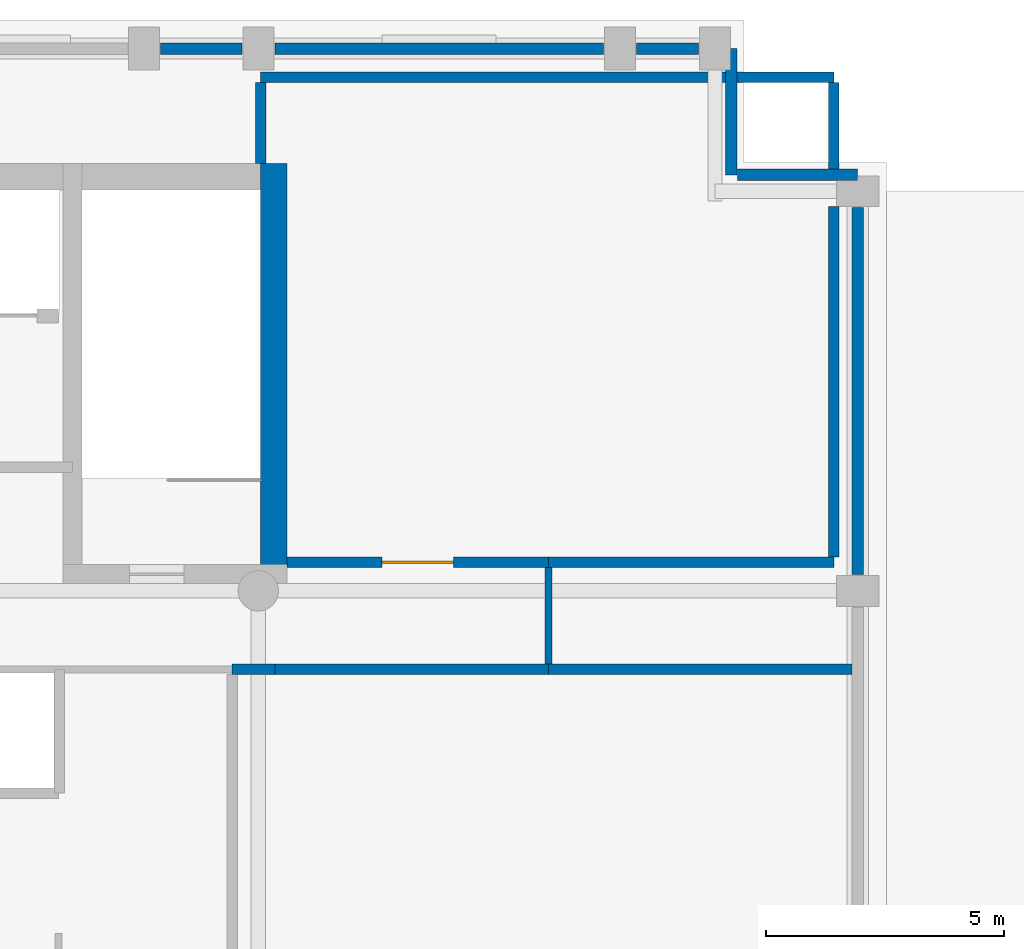
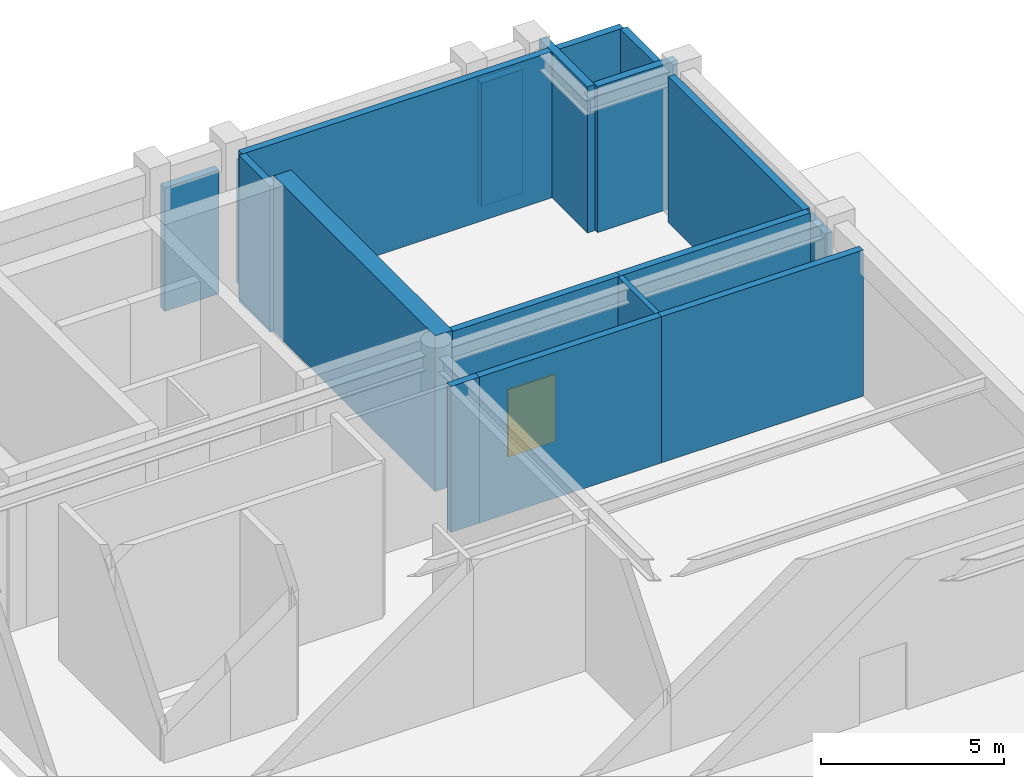
# One storey, part 3 of 4: 17 walls, 1 door, 1 opening.
"""IFC4 building model written with IfcOpenShell, lengths in metres."""

from ifc_helpers import new_model, si_unit, direction, frame, frame_2d, origin, place, context, subcontext, project, spatial, rectangle, extrude, material, layer, layer_set, type_object, element, fill, save


model = new_model("IFC4")

# Units and contexts
model_context = context("Model", 3, precision=1e-05, world=origin(), true_north=direction((0.0, 1.0)))
body_context = subcontext(model_context, "Body", "Model", "MODEL_VIEW")
ifc_project = project(units=[si_unit("LENGTHUNIT", "METRE"), si_unit("AREAUNIT", "SQUARE_METRE"), si_unit("VOLUMEUNIT", "CUBIC_METRE"), si_unit("PLANEANGLEUNIT", "RADIAN"), si_unit("MASSUNIT", "GRAM", prefix="KILO")], contexts=[model_context])

# Site, building, storey
site_placement = place(None, origin())
site = spatial("IfcSite", under=ifc_project, at=site_placement, CompositionType="ELEMENT")
building_placement = place(site_placement, origin())
building = spatial("IfcBuilding", under=site, at=building_placement, Name="Sulina Concourse Tower", CompositionType="ELEMENT")
storey_placement = place(building_placement, frame((0.0, 0.0, 317.800048828125)))
storey = spatial("IfcBuildingStorey", under=building, at=storey_placement, Name="L77", CompositionType="ELEMENT", Elevation=317.800048828125)

# Walls
ifc_material_1 = material(Name="Precast concrete C50/60", Category="concrete")
ifc_layer_1 = layer(ifc_material_1, 0.239990234375)
ifc_layer_set_1 = layer_set([ifc_layer_1], Name="Precast concrete C50/60")
wall_type_1 = type_object("IfcWallType", Name="Crown Precast Masonry-Frame Facade Wall 240mm", PredefinedType="SOLIDWALL", material=ifc_layer_set_1)
wall_1_placement = place(storey_placement, frame((14.344970703125, 45.39990234375, 0.0), z_axis=(0.0, 0.0, 1.0), x_axis=(1.0, 0.0, 0.0)))
element("IfcWall", 1, at=wall_1_placement, inside=storey, type_object=wall_type_1, Name="L77 exterior precast wall N3", PredefinedType="SOLIDWALL", context=body_context, shape_type="SweptSolid", body=[
    extrude(rectangle(XDim=1.7099609375, YDim=0.239990234375, at=frame_2d((0.85498046875, 0.0))), origin(), (0.0, 0.0, 1.0), 4.1298828125),
])
wall_2_placement = place(storey_placement, frame((16.7451171875, 45.39990234375, 0.0), z_axis=(0.0, 0.0, 1.0), x_axis=(1.0, 0.0, 0.0)))
element("IfcWall", 2, at=wall_2_placement, inside=storey, type_object=wall_type_1, Name="L77 exterior precast wall N4", PredefinedType="SOLIDWALL", context=body_context, shape_type="SweptSolid", body=[
    extrude(rectangle(XDim=6.909912109375, YDim=0.239990234375, at=frame_2d((3.455078125, 0.0))), origin(), (0.0, 0.0, 1.0), 4.1298828125),
])
wall_3_placement = place(storey_placement, frame((24.344970703125, 45.39990234375, 0.0), z_axis=(0.0, 0.0, 1.0), x_axis=(1.0, 0.0, 0.0)))
element("IfcWall", 3, at=wall_3_placement, inside=storey, type_object=wall_type_1, Name="L77 exterior precast wall N5", PredefinedType="SOLIDWALL", context=body_context, shape_type="SweptSolid", body=[
    extrude(rectangle(XDim=1.31005859375, YDim=0.239990234375, at=frame_2d((0.655029296875, 0.0))), origin(), (0.0, 0.0, 1.0), 4.1298828125),
])
wall_4_placement = place(storey_placement, frame((29.0, 42.054931640625, 0.0), z_axis=(0.0, 0.0, 1.0), x_axis=(0.0, -1.0, 0.0)))
element("IfcWall", 4, at=wall_4_placement, inside=storey, type_object=wall_type_1, Name="L77 exterior precast wall E3", PredefinedType="SOLIDWALL", context=body_context, shape_type="SweptSolid", body=[
    extrude(rectangle(XDim=7.7099609375, YDim=0.239990234375, at=frame_2d((3.85498046875, 0.0))), origin(), (0.0, 0.0, 1.0), 4.1298828125),
])
wall_5_placement = place(storey_placement, frame((26.344970703125, 45.39990234375, 0.0), z_axis=(0.0, 0.0, 1.0), x_axis=(0.0, -1.0, 0.0)))
element("IfcWall", 5, at=wall_5_placement, inside=storey, type_object=wall_type_1, Name="L77 exterior precast wall CNE1", PredefinedType="SOLIDWALL", context=body_context, shape_type="SweptSolid", body=[
    extrude(rectangle(XDim=2.65478515625, YDim=0.239990234375, at=frame_2d((1.327392578125, 0.0))), origin(), (0.0, 0.0, 1.0), 4.8798828125),
])
wall_6_placement = place(storey_placement, frame((26.469970703125, 42.7451171875, 0.0), z_axis=(0.0, 0.0, 1.0), x_axis=(1.0, 0.0, 0.0)))
element("IfcWall", 6, at=wall_6_placement, inside=storey, type_object=wall_type_1, Name="L77 exterior precast wall CNE2", PredefinedType="SOLIDWALL", context=body_context, shape_type="SweptSolid", body=[
    extrude(rectangle(XDim=2.530029296875, YDim=0.239990234375, at=frame_2d((1.26513671875, 0.0))), origin(), (0.0, 0.0, 1.0), 4.8798828125),
])
ifc_material_2 = material(Name="Gypsum board on steel stud", Category="steel")
ifc_layer_2 = layer(ifc_material_2, 0.219970703125)
ifc_layer_set_2 = layer_set([ifc_layer_2], Name="Gypsum board on steel stud")
wall_type_2 = type_object("IfcWallType", Name="Fire-Rated Lobby & Compartment Wall 220mm", PredefinedType="PARTITIONING", material=ifc_layer_set_2)
wall_7_placement = place(storey_placement, frame((15.85009765625, 32.35009765625, 0.0), z_axis=(0.0, 0.0, 1.0), x_axis=(1.0, 0.0, 0.0)))
element("IfcWall", 7, at=wall_7_placement, inside=storey, type_object=wall_type_2, Name="L77 interior partition 008", PredefinedType="PARTITIONING", context=body_context, shape_type="SweptSolid", body=[
    extrude(rectangle(XDim=0.89990234375, YDim=0.219970703125, at=frame_2d((0.449951171875, 0.0))), origin(), (0.0, 0.0, 1.0), 4.8798828125),
])
wall_8_placement = place(storey_placement, frame((16.75, 32.35009765625, 0.0), z_axis=(0.0, 0.0, 1.0), x_axis=(1.0, 0.0, 0.0)))
element("IfcWall", 8, at=wall_8_placement, inside=storey, type_object=wall_type_2, Name="L77 interior partition 009", PredefinedType="PARTITIONING", context=body_context, shape_type="SweptSolid", body=[
    extrude(rectangle(XDim=5.75, YDim=0.219970703125, at=frame_2d((2.875, 0.0))), origin(), (0.0, 0.0, 1.0), 4.8798828125),
])
wall_9_placement = place(storey_placement, frame((22.5, 32.35009765625, 0.0), z_axis=(0.0, 0.0, 1.0), x_axis=(1.0, 0.0, 0.0)))
element("IfcWall", 9, at=wall_9_placement, inside=storey, type_object=wall_type_2, Name="L77 interior partition 010", PredefinedType="PARTITIONING", context=body_context, shape_type="SweptSolid", body=[
    extrude(rectangle(XDim=6.3798828125, YDim=0.219970703125, at=frame_2d((3.18994140625, 0.0))), origin(), (0.0, 0.0, 1.0), 4.8798828125),
])

# Wall, opening, door
wall_10_placement = place(storey_placement, frame((17.0, 34.60009765625, 0.0), z_axis=(0.0, 0.0, 1.0), x_axis=(1.0, 0.0, 0.0)))
wall_10 = element("IfcWall", 10, at=wall_10_placement, inside=storey, type_object=wall_type_2, Name="L77 interior partition 013", PredefinedType="PARTITIONING", context=body_context, shape_type="SweptSolid", body=[
    extrude(rectangle(XDim=5.5, YDim=0.219970703125, at=frame_2d((2.75, 0.0))), origin(), (0.0, 0.0, 1.0), 4.8798828125),
])
opening_placement = place(wall_10_placement, frame((2.0, 0.0, 0.0)))
opening = element("IfcOpeningElement", 11, at=opening_placement, cuts=wall_10, Name="Opening DR-80", PredefinedType="OPENING", context=body_context, shape_type="SweptSolid", body=[
    extrude(rectangle(XDim=1.5, YDim=2.25, at=frame_2d((0.75, 1.125))), frame((0.0, 0.119873046875, 0.0), z_axis=(0.0, -1.0, 0.0), x_axis=(1.0, 0.0, 0.0)), (0.0, 0.0, 1.0), 0.239990234375),
])
ifc_material_3 = material(Name="Galvanised steel acoustic fire leaf", Category="steel")
ifc_layer_3 = layer(ifc_material_3, 0.054931640625)
ifc_layer_set_3 = layer_set([ifc_layer_3], Name="Galvanised steel acoustic fire leaf")
door_type = type_object("IfcDoorType", Name="Mechanical Plant Double Fire Door 1500x2250", OperationType="DOUBLE_DOOR_SINGLE_SWING", PredefinedType="DOOR", material=ifc_layer_set_3)
door_placement = place(opening_placement, origin())
door = element("IfcDoor", 12, at=door_placement, inside=storey, type_object=door_type, Name="L77 interior door L77-REFUGE", OperationType="DOUBLE_DOOR_SINGLE_SWING", OverallHeight=2.25, OverallWidth=1.5, PredefinedType="DOOR", context=body_context, shape_type="SweptSolid", body=[
    extrude(rectangle(XDim=1.5, YDim=2.25, at=frame_2d((0.75, 1.125))), frame((0.0, 0.02490234375, 0.0), z_axis=(0.0, -1.0, 0.0), x_axis=(1.0, 0.0, 0.0)), (0.0, 0.0, 1.0), 0.050048828125),
])
fill(opening, door)

# Walls
wall_11_placement = place(storey_placement, frame((22.5, 34.60009765625, 0.0), z_axis=(0.0, 0.0, 1.0), x_axis=(1.0, 0.0, 0.0)))
element("IfcWall", 13, at=wall_11_placement, inside=storey, type_object=wall_type_2, Name="L77 interior partition 014", PredefinedType="PARTITIONING", context=body_context, shape_type="SweptSolid", body=[
    extrude(rectangle(XDim=6.0, YDim=0.219970703125, at=frame_2d((3.0, 0.0))), origin(), (0.0, 0.0, 1.0), 4.8798828125),
])
wall_12_placement = place(storey_placement, frame((16.449951171875, 44.800048828125, 0.0), z_axis=(0.0, 0.0, 1.0), x_axis=(1.0, 0.0, 0.0)))
element("IfcWall", 14, at=wall_12_placement, inside=storey, type_object=wall_type_2, Name="L77 interior partition 015", PredefinedType="PARTITIONING", context=body_context, shape_type="SweptSolid", body=[
    extrude(rectangle(XDim=12.050048828125, YDim=0.219970703125, at=frame_2d((6.02490234375, 0.0))), origin(), (0.0, 0.0, 1.0), 4.8798828125),
])
wall_13_placement = place(storey_placement, frame((16.449951171875, 42.97998046875, 0.0), z_axis=(0.0, 0.0, 1.0), x_axis=(0.0, 1.0, 0.0)))
element("IfcWall", 15, at=wall_13_placement, inside=storey, type_object=wall_type_2, Name="L77 interior partition 022", PredefinedType="PARTITIONING", context=body_context, shape_type="SweptSolid", body=[
    extrude(rectangle(XDim=1.7099609375, YDim=0.219970703125, at=frame_2d((0.85498046875, 0.0))), origin(), (0.0, 0.0, 1.0), 4.8798828125),
])
wall_14_placement = place(storey_placement, frame((28.5, 34.7099609375, 0.0), z_axis=(0.0, 0.0, 1.0), x_axis=(0.0, 1.0, 0.0)))
element("IfcWall", 16, at=wall_14_placement, inside=storey, type_object=wall_type_2, Name="L77 interior partition 024", PredefinedType="PARTITIONING", context=body_context, shape_type="SweptSolid", body=[
    extrude(rectangle(XDim=7.364990234375, YDim=0.219970703125, at=frame_2d((3.6826171875, 0.0))), origin(), (0.0, 0.0, 1.0), 4.8798828125),
])
wall_15_placement = place(storey_placement, frame((28.5, 42.864990234375, 0.0), z_axis=(0.0, 0.0, 1.0), x_axis=(0.0, 1.0, 0.0)))
element("IfcWall", 17, at=wall_15_placement, inside=storey, type_object=wall_type_2, Name="L77 interior partition 025", PredefinedType="PARTITIONING", context=body_context, shape_type="SweptSolid", body=[
    extrude(rectangle(XDim=1.824951171875, YDim=0.219970703125, at=frame_2d((0.91259765625, 0.0))), origin(), (0.0, 0.0, 1.0), 4.8798828125),
])
ifc_material_4 = material(Name="Gypsum board on steel stud", Category="steel")
ifc_layer_4 = layer(ifc_material_4, 0.14990234375)
ifc_layer_set_4 = layer_set([ifc_layer_4], Name="Gypsum board on steel stud")
wall_type_3 = type_object("IfcWallType", Name="Inter-Tenancy Acoustic Partition 150mm", PredefinedType="PARTITIONING", material=ifc_layer_set_4)
wall_16_placement = place(storey_placement, frame((22.5, 32.4599609375, 0.0), z_axis=(0.0, 0.0, 1.0), x_axis=(0.0, 1.0, 0.0)))
element("IfcWall", 18, at=wall_16_placement, inside=storey, type_object=wall_type_3, Name="L77 interior partition 023", PredefinedType="PARTITIONING", context=body_context, shape_type="SweptSolid", body=[
    extrude(rectangle(XDim=2.030029296875, YDim=0.14990234375, at=frame_2d((1.01513671875, 0.0))), origin(), (0.0, 0.0, 1.0), 4.8798828125),
])
ifc_material_5 = material(Name="Concrete C50/60", Category="concrete")
ifc_layer_5 = layer(ifc_material_5, 0.550048828125)
ifc_layer_set_5 = layer_set([ifc_layer_5], Name="Concrete C50/60")
wall_type_4 = type_object("IfcWallType", Name="Upper Core Shear Wall 550mm", PredefinedType="SHEAR", material=ifc_layer_set_5)
wall_17_placement = place(storey_placement, frame((16.72509765625, 34.14990234375, 0.0), z_axis=(0.0, 0.0, 1.0), x_axis=(0.0, 1.0, 0.0)))
element("IfcWall", 19, at=wall_17_placement, inside=storey, type_object=wall_type_4, Name="L77 west core shear wall CW-WE", PredefinedType="SHEAR", context=body_context, shape_type="SweptSolid", body=[
    extrude(rectangle(XDim=8.830078125, YDim=0.550048828125, at=frame_2d((4.4150390625, 0.0))), origin(), (0.0, 0.0, 1.0), 5.199951171875),
])

save(model, "model.ifc")
